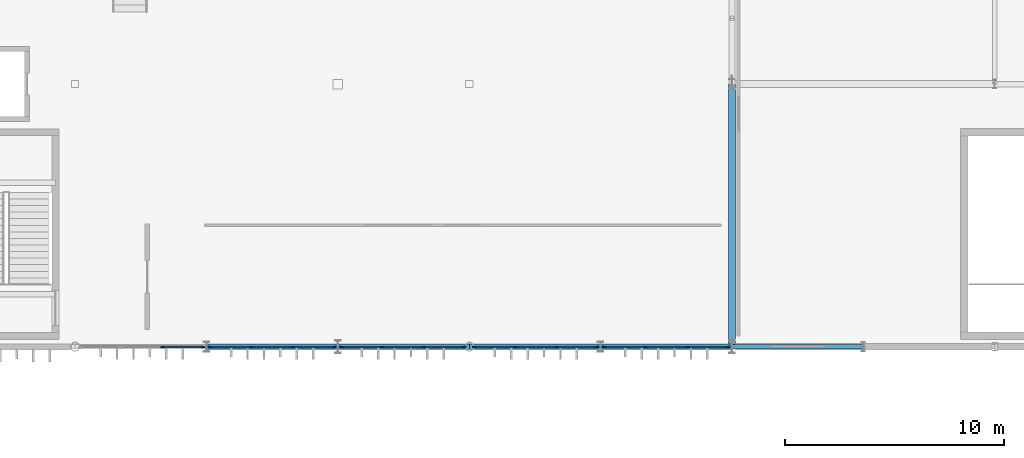
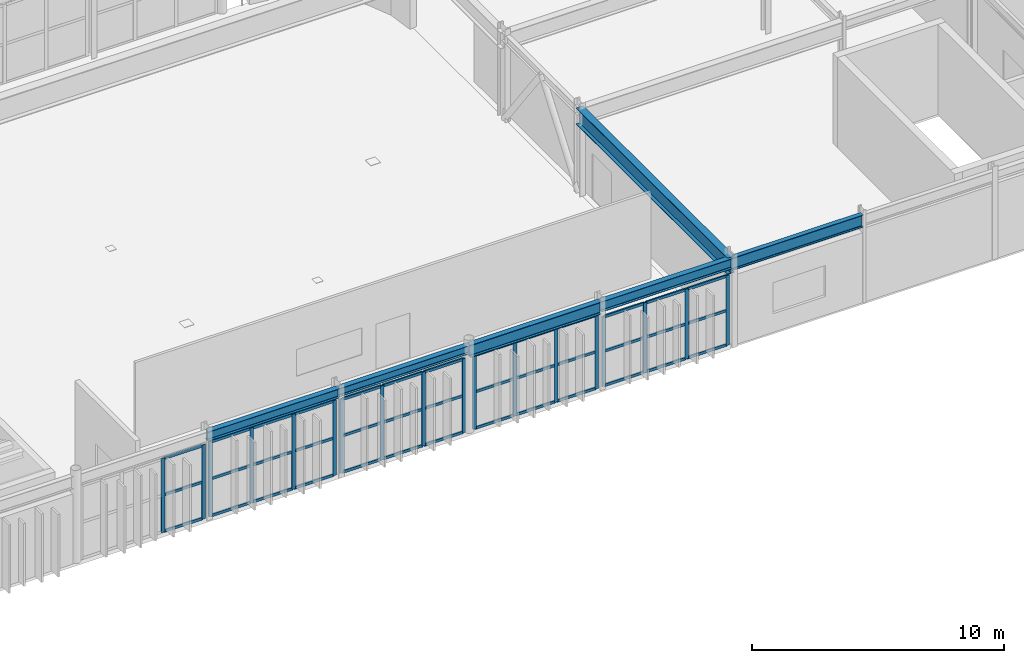
# One storey, part 38 of 84: 57 members, 6 beams, 5 elements without a shape of their own.
"""IFC4 building model written with IfcOpenShell, lengths in metres."""

from ifc_helpers import new_model, si_unit, direction, frame, origin, origin_2d, place, context, subcontext, project, spatial, rectangle, i_section, extrude, material, material_profile, profile_set, type_object, element, aggregate, save


model = new_model("IFC4")

# Units and contexts
model_context = context("Model", 3, precision=1e-05, world=origin(), true_north=direction((0.0, 1.0)))
body_context = subcontext(model_context, "Body", "Model", "MODEL_VIEW")
ifc_project = project(units=[si_unit("LENGTHUNIT", "METRE"), si_unit("AREAUNIT", "SQUARE_METRE"), si_unit("VOLUMEUNIT", "CUBIC_METRE"), si_unit("PLANEANGLEUNIT", "RADIAN"), si_unit("MASSUNIT", "GRAM", prefix="KILO")], contexts=[model_context])

# Site, building, storey
site_placement = place(None, origin())
site = spatial("IfcSite", under=ifc_project, at=site_placement, CompositionType="ELEMENT")
building_placement = place(site_placement, origin())
building = spatial("IfcBuilding", under=site, at=building_placement, Name="Varnakota Square Police Headquarters", CompositionType="ELEMENT")
storey_placement = place(building_placement, frame((0.0, 0.0, 13.5)))
storey = spatial("IfcBuildingStorey", under=building, at=storey_placement, Name="L03", CompositionType="ELEMENT", Elevation=13.5)

# Beams
ifc_material_1 = material(Name="Steel IS 2062 Grade 350", Category="steel")
ifc_material_profile_1 = material_profile(ifc_material_1, i_section(OverallWidth=0.320068359375, OverallDepth=0.800048828125, WebThickness=0.01611328125, FlangeThickness=0.028076171875, at=origin_2d()), Name="BPG 800x320")
ifc_profile_set_1 = profile_set([ifc_material_profile_1], Name="Steel IS 2062 Grade 350")
beam_type_1 = type_object("IfcBeamType", Name="BM-BPG800", PredefinedType="BEAM", material=ifc_profile_set_1)
beam_1_placement = place(storey_placement, frame((96.0, 69.0, 3.800048828125), z_axis=(0.0, 1.0, 0.0), x_axis=(-1.0, 0.0, 0.0)))
element("IfcBeam", 1, at=beam_1_placement, inside=storey, type_object=beam_type_1, Name="BMG-L03-2673", PredefinedType="BEAM", context=body_context, shape_type="SweptSolid", body=[
    extrude(i_section(OverallWidth=0.320068359375, OverallDepth=0.800048828125, WebThickness=0.01611328125, FlangeThickness=0.028076171875, at=origin_2d()), origin(), (0.0, 0.0, 1.0), 12.0),
])
ifc_material_profile_2 = material_profile(ifc_material_1, i_section(OverallWidth=0.25, OverallDepth=0.39990234375, WebThickness=0.010498046875, FlangeThickness=0.0126953125, FilletRadius=0.013916015625, at=origin_2d()), Name="ISHB 400")
ifc_profile_set_2 = profile_set([ifc_material_profile_2], Name="Steel IS 2062 Grade 350")
beam_type_2 = type_object("IfcBeamType", Name="BM-ISHB400", PredefinedType="BEAM", material=ifc_profile_set_2)
beam_2_placement = place(storey_placement, frame((78.0, 69.0, 4.0), z_axis=(1.0, 0.0, 0.0), x_axis=(0.0, 1.0, 0.0)))
element("IfcBeam", 2, at=beam_2_placement, inside=storey, type_object=beam_type_2, Name="BMG-L03-2519", PredefinedType="BEAM", context=body_context, shape_type="SweptSolid", body=[
    extrude(i_section(OverallWidth=0.25, OverallDepth=0.39990234375, WebThickness=0.010498046875, FlangeThickness=0.0126953125, FilletRadius=0.013916015625, at=origin_2d()), origin(), (0.0, 0.0, 1.0), 6.0),
])
ifc_material_profile_3 = material_profile(ifc_material_1, i_section(OverallWidth=0.25, OverallDepth=0.449951171875, WebThickness=0.01123046875, FlangeThickness=0.013671875, FilletRadius=0.014892578125, at=origin_2d()), Name="ISHB 450")
ifc_profile_set_3 = profile_set([ifc_material_profile_3], Name="Steel IS 2062 Grade 350")
beam_type_3 = type_object("IfcBeamType", Name="BM-ISHB450", PredefinedType="BEAM", material=ifc_profile_set_3)
beam_3_placement = place(storey_placement, frame((72.0, 69.0, 3.97509765625), z_axis=(1.0, 0.0, 0.0), x_axis=(0.0, 1.0, 0.0)))
element("IfcBeam", 3, at=beam_3_placement, inside=storey, type_object=beam_type_3, Name="BMG-L03-2518", PredefinedType="BEAM", context=body_context, shape_type="SweptSolid", body=[
    extrude(i_section(OverallWidth=0.25, OverallDepth=0.449951171875, WebThickness=0.01123046875, FlangeThickness=0.013671875, FilletRadius=0.014892578125, at=origin_2d()), origin(), (0.0, 0.0, 1.0), 6.0),
])
ifc_material_profile_4 = material_profile(ifc_material_1, i_section(OverallWidth=0.2099609375, OverallDepth=0.60009765625, WebThickness=0.011962890625, FlangeThickness=0.020751953125, FilletRadius=0.02001953125, at=origin_2d()), Name="ISMB 600")
ifc_profile_set_4 = profile_set([ifc_material_profile_4], Name="Steel IS 2062 Grade 350")
beam_type_4 = type_object("IfcBeamType", Name="BM-ISMB600", PredefinedType="BEAM", material=ifc_profile_set_4)
beam_4_placement = place(storey_placement, frame((96.0, 69.0, 3.89990234375), z_axis=(1.0, 0.0, 0.0), x_axis=(0.0, 1.0, 0.0)))
element("IfcBeam", 4, at=beam_4_placement, inside=storey, type_object=beam_type_4, Name="BMG-L03-2522", PredefinedType="BEAM", context=body_context, shape_type="SweptSolid", body=[
    extrude(i_section(OverallWidth=0.2099609375, OverallDepth=0.60009765625, WebThickness=0.011962890625, FlangeThickness=0.020751953125, FilletRadius=0.02001953125, at=origin_2d()), origin(), (0.0, 0.0, 1.0), 6.0),
])
ifc_material_profile_5 = material_profile(ifc_material_1, i_section(OverallWidth=0.25, OverallDepth=0.5, WebThickness=0.010009765625, FlangeThickness=0.0146484375, FilletRadius=0.014892578125, at=origin_2d()), Name="ISWB 500")
ifc_profile_set_5 = profile_set([ifc_material_profile_5], Name="Steel IS 2062 Grade 350")
beam_type_5 = type_object("IfcBeamType", Name="BM-ISWB500", PredefinedType="BEAM", material=ifc_profile_set_5)
beam_5_placement = place(storey_placement, frame((90.0, 69.0, 3.949951171875), z_axis=(1.0, 0.0, 0.0), x_axis=(0.0, 1.0, 0.0)))
element("IfcBeam", 5, at=beam_5_placement, inside=storey, type_object=beam_type_5, Name="BMG-L03-2521", PredefinedType="BEAM", context=body_context, shape_type="SweptSolid", body=[
    extrude(i_section(OverallWidth=0.25, OverallDepth=0.5, WebThickness=0.010009765625, FlangeThickness=0.0146484375, FilletRadius=0.014892578125, at=origin_2d()), origin(), (0.0, 0.0, 1.0), 6.0),
])
ifc_material_profile_6 = material_profile(ifc_material_1, i_section(OverallWidth=0.25, OverallDepth=0.60009765625, WebThickness=0.01171875, FlangeThickness=0.023681640625, FilletRadius=0.01708984375, at=origin_2d()), Name="ISWB 600")
ifc_profile_set_6 = profile_set([ifc_material_profile_6], Name="Steel IS 2062 Grade 350")
beam_type_6 = type_object("IfcBeamType", Name="BM-ISWB600", PredefinedType="BEAM", material=ifc_profile_set_6)
beam_6_placement = place(storey_placement, frame((84.0, 69.0, 3.89990234375), z_axis=(1.0, 0.0, 0.0), x_axis=(0.0, 1.0, 0.0)))
element("IfcBeam", 6, at=beam_6_placement, inside=storey, type_object=beam_type_6, Name="BMG-L03-2520", PredefinedType="BEAM", context=body_context, shape_type="SweptSolid", body=[
    extrude(i_section(OverallWidth=0.25, OverallDepth=0.60009765625, WebThickness=0.01171875, FlangeThickness=0.023681640625, FilletRadius=0.01708984375, at=origin_2d()), origin(), (0.0, 0.0, 1.0), 6.0),
])

# Curtain wall, members
ifc_material_2 = material(Name="Anodised Aluminium Framing", Category="aluminium")
curtain_wall_type = type_object("IfcCurtainWallType", Name="CW-SYS-B", PredefinedType="NOTDEFINED", material=ifc_material_2)
curtain_wall_1_placement = place(storey_placement, origin())
curtain_wall_1 = element("IfcCurtainWall", 7, at=curtain_wall_1_placement, inside=storey, type_object=curtain_wall_type, Name="Unitised curtain wall CWG-L03-245", PredefinedType="NOTDEFINED")
ifc_material_3 = material(Name="Anodised Aluminium 6063-T6", Category="aluminium")
ifc_material_profile_7 = material_profile(ifc_material_3, rectangle(XDim=0.06494140625, YDim=0.159912109375, at=origin_2d()), Name="ALU MULLION 65x160")
ifc_profile_set_7 = profile_set([ifc_material_profile_7], Name="Anodised Aluminium 6063-T6")
member_type_1 = type_object("IfcMemberType", Name="CWM-150", PredefinedType="MULLION", material=ifc_profile_set_7)
member_1_placement = place(storey_placement, frame((69.982666015625, 69.0, 0.0), z_axis=(0.0, 0.0, 1.0), x_axis=(0.0, 1.0, 0.0)))
member_1 = element("IfcMember", 8, at=member_1_placement, type_object=member_type_1, Name="CWG-L03-245 mullion 3", PredefinedType="MULLION", context=body_context, shape_type="SweptSolid", body=[
    extrude(rectangle(XDim=0.06494140625, YDim=0.159912109375, at=origin_2d()), origin(), (0.0, 0.0, 1.0), 3.590087890625),
])
member_2_placement = place(storey_placement, frame((71.83740234375, 69.0, 0.0), z_axis=(0.0, 0.0, 1.0), x_axis=(0.0, 1.0, 0.0)))
member_2 = element("IfcMember", 9, at=member_2_placement, type_object=member_type_1, Name="CWG-L03-245 mullion 4", PredefinedType="MULLION", context=body_context, shape_type="SweptSolid", body=[
    extrude(rectangle(XDim=0.06494140625, YDim=0.159912109375, at=origin_2d()), origin(), (0.0, 0.0, 1.0), 3.590087890625),
])

curtain_wall_2_placement = place(storey_placement, origin())
curtain_wall_2 = element("IfcCurtainWall", 10, at=curtain_wall_2_placement, inside=storey, type_object=curtain_wall_type, Name="Unitised curtain wall CWG-L03-246", PredefinedType="NOTDEFINED")
member_3_placement = place(storey_placement, frame((72.16259765625, 69.0, 0.0), z_axis=(0.0, 0.0, 1.0), x_axis=(0.0, 1.0, 0.0)))
member_3 = element("IfcMember", 11, at=member_3_placement, type_object=member_type_1, Name="CWG-L03-246 mullion 1", PredefinedType="MULLION", context=body_context, shape_type="SweptSolid", body=[
    extrude(rectangle(XDim=0.06494140625, YDim=0.159912109375, at=origin_2d()), origin(), (0.0, 0.0, 1.0), 3.639892578125),
])
member_4_placement = place(storey_placement, frame((74.043212890625, 69.0, 0.0), z_axis=(0.0, 0.0, 1.0), x_axis=(0.0, 1.0, 0.0)))
member_4 = element("IfcMember", 12, at=member_4_placement, type_object=member_type_1, Name="CWG-L03-246 mullion 2", PredefinedType="MULLION", context=body_context, shape_type="SweptSolid", body=[
    extrude(rectangle(XDim=0.06494140625, YDim=0.159912109375, at=origin_2d()), origin(), (0.0, 0.0, 1.0), 3.639892578125),
])
member_5_placement = place(storey_placement, frame((75.956787109375, 69.0, 0.0), z_axis=(0.0, 0.0, 1.0), x_axis=(0.0, 1.0, 0.0)))
member_5 = element("IfcMember", 13, at=member_5_placement, type_object=member_type_1, Name="CWG-L03-246 mullion 3", PredefinedType="MULLION", context=body_context, shape_type="SweptSolid", body=[
    extrude(rectangle(XDim=0.06494140625, YDim=0.159912109375, at=origin_2d()), origin(), (0.0, 0.0, 1.0), 3.639892578125),
])
member_6_placement = place(storey_placement, frame((77.83740234375, 69.0, 0.0), z_axis=(0.0, 0.0, 1.0), x_axis=(0.0, 1.0, 0.0)))
member_6 = element("IfcMember", 14, at=member_6_placement, type_object=member_type_1, Name="CWG-L03-246 mullion 4", PredefinedType="MULLION", context=body_context, shape_type="SweptSolid", body=[
    extrude(rectangle(XDim=0.06494140625, YDim=0.159912109375, at=origin_2d()), origin(), (0.0, 0.0, 1.0), 3.639892578125),
])

curtain_wall_3_placement = place(storey_placement, origin())
curtain_wall_3 = element("IfcCurtainWall", 15, at=curtain_wall_3_placement, inside=storey, type_object=curtain_wall_type, Name="Unitised curtain wall CWG-L03-247", PredefinedType="NOTDEFINED")
member_7_placement = place(storey_placement, frame((78.16259765625, 69.0, 0.0), z_axis=(0.0, 0.0, 1.0), x_axis=(0.0, 1.0, 0.0)))
member_7 = element("IfcMember", 16, at=member_7_placement, type_object=member_type_1, Name="CWG-L03-247 mullion 1", PredefinedType="MULLION", context=body_context, shape_type="SweptSolid", body=[
    extrude(rectangle(XDim=0.06494140625, YDim=0.159912109375, at=origin_2d()), origin(), (0.0, 0.0, 1.0), 3.590087890625),
])
member_8_placement = place(storey_placement, frame((80.017333984375, 69.0, 0.0), z_axis=(0.0, 0.0, 1.0), x_axis=(0.0, 1.0, 0.0)))
member_8 = element("IfcMember", 17, at=member_8_placement, type_object=member_type_1, Name="CWG-L03-247 mullion 2", PredefinedType="MULLION", context=body_context, shape_type="SweptSolid", body=[
    extrude(rectangle(XDim=0.06494140625, YDim=0.159912109375, at=origin_2d()), origin(), (0.0, 0.0, 1.0), 3.590087890625),
])
member_9_placement = place(storey_placement, frame((81.904541015625, 69.0, 0.0), z_axis=(0.0, 0.0, 1.0), x_axis=(0.0, 1.0, 0.0)))
member_9 = element("IfcMember", 18, at=member_9_placement, type_object=member_type_1, Name="CWG-L03-247 mullion 3", PredefinedType="MULLION", context=body_context, shape_type="SweptSolid", body=[
    extrude(rectangle(XDim=0.06494140625, YDim=0.159912109375, at=origin_2d()), origin(), (0.0, 0.0, 1.0), 3.590087890625),
])
member_10_placement = place(storey_placement, frame((83.75927734375, 69.0, 0.0), z_axis=(0.0, 0.0, 1.0), x_axis=(0.0, 1.0, 0.0)))
member_10 = element("IfcMember", 19, at=member_10_placement, type_object=member_type_1, Name="CWG-L03-247 mullion 4", PredefinedType="MULLION", context=body_context, shape_type="SweptSolid", body=[
    extrude(rectangle(XDim=0.06494140625, YDim=0.159912109375, at=origin_2d()), origin(), (0.0, 0.0, 1.0), 3.590087890625),
])

curtain_wall_4_placement = place(storey_placement, origin())
curtain_wall_4 = element("IfcCurtainWall", 20, at=curtain_wall_4_placement, inside=storey, type_object=curtain_wall_type, Name="Unitised curtain wall CWG-L03-248", PredefinedType="NOTDEFINED")
member_11_placement = place(storey_placement, frame((84.24072265625, 69.0, 0.0), z_axis=(0.0, 0.0, 1.0), x_axis=(0.0, 1.0, 0.0)))
member_11 = element("IfcMember", 21, at=member_11_placement, type_object=member_type_1, Name="CWG-L03-248 mullion 1", PredefinedType="MULLION", context=body_context, shape_type="SweptSolid", body=[
    extrude(rectangle(XDim=0.06494140625, YDim=0.159912109375, at=origin_2d()), origin(), (0.0, 0.0, 1.0), 3.590087890625),
])
member_12_placement = place(storey_placement, frame((86.095458984375, 69.0, 0.0), z_axis=(0.0, 0.0, 1.0), x_axis=(0.0, 1.0, 0.0)))
member_12 = element("IfcMember", 22, at=member_12_placement, type_object=member_type_1, Name="CWG-L03-248 mullion 2", PredefinedType="MULLION", context=body_context, shape_type="SweptSolid", body=[
    extrude(rectangle(XDim=0.06494140625, YDim=0.159912109375, at=origin_2d()), origin(), (0.0, 0.0, 1.0), 3.590087890625),
])
member_13_placement = place(storey_placement, frame((87.982666015625, 69.0, 0.0), z_axis=(0.0, 0.0, 1.0), x_axis=(0.0, 1.0, 0.0)))
member_13 = element("IfcMember", 23, at=member_13_placement, type_object=member_type_1, Name="CWG-L03-248 mullion 3", PredefinedType="MULLION", context=body_context, shape_type="SweptSolid", body=[
    extrude(rectangle(XDim=0.06494140625, YDim=0.159912109375, at=origin_2d()), origin(), (0.0, 0.0, 1.0), 3.590087890625),
])
member_14_placement = place(storey_placement, frame((89.83740234375, 69.0, 0.0), z_axis=(0.0, 0.0, 1.0), x_axis=(0.0, 1.0, 0.0)))
member_14 = element("IfcMember", 24, at=member_14_placement, type_object=member_type_1, Name="CWG-L03-248 mullion 4", PredefinedType="MULLION", context=body_context, shape_type="SweptSolid", body=[
    extrude(rectangle(XDim=0.06494140625, YDim=0.159912109375, at=origin_2d()), origin(), (0.0, 0.0, 1.0), 3.590087890625),
])

curtain_wall_5_placement = place(storey_placement, origin())
curtain_wall_5 = element("IfcCurtainWall", 25, at=curtain_wall_5_placement, inside=storey, type_object=curtain_wall_type, Name="Unitised curtain wall CWG-L03-249", PredefinedType="NOTDEFINED")
member_15_placement = place(storey_placement, frame((90.16259765625, 69.0, 0.0), z_axis=(0.0, 0.0, 1.0), x_axis=(0.0, 1.0, 0.0)))
member_15 = element("IfcMember", 26, at=member_15_placement, type_object=member_type_1, Name="CWG-L03-249 mullion 1", PredefinedType="MULLION", context=body_context, shape_type="SweptSolid", body=[
    extrude(rectangle(XDim=0.06494140625, YDim=0.159912109375, at=origin_2d()), origin(), (0.0, 0.0, 1.0), 3.389892578125),
])
member_16_placement = place(storey_placement, frame((92.043212890625, 69.0, 0.0), z_axis=(0.0, 0.0, 1.0), x_axis=(0.0, 1.0, 0.0)))
member_16 = element("IfcMember", 27, at=member_16_placement, type_object=member_type_1, Name="CWG-L03-249 mullion 2", PredefinedType="MULLION", context=body_context, shape_type="SweptSolid", body=[
    extrude(rectangle(XDim=0.06494140625, YDim=0.159912109375, at=origin_2d()), origin(), (0.0, 0.0, 1.0), 3.389892578125),
])
member_17_placement = place(storey_placement, frame((93.956787109375, 69.0, 0.0), z_axis=(0.0, 0.0, 1.0), x_axis=(0.0, 1.0, 0.0)))
member_17 = element("IfcMember", 28, at=member_17_placement, type_object=member_type_1, Name="CWG-L03-249 mullion 3", PredefinedType="MULLION", context=body_context, shape_type="SweptSolid", body=[
    extrude(rectangle(XDim=0.06494140625, YDim=0.159912109375, at=origin_2d()), origin(), (0.0, 0.0, 1.0), 3.389892578125),
])
member_18_placement = place(storey_placement, frame((95.83740234375, 69.0, 0.0), z_axis=(0.0, 0.0, 1.0), x_axis=(0.0, 1.0, 0.0)))
member_18 = element("IfcMember", 29, at=member_18_placement, type_object=member_type_1, Name="CWG-L03-249 mullion 4", PredefinedType="MULLION", context=body_context, shape_type="SweptSolid", body=[
    extrude(rectangle(XDim=0.06494140625, YDim=0.159912109375, at=origin_2d()), origin(), (0.0, 0.0, 1.0), 3.389892578125),
])

# Member
ifc_material_profile_8 = material_profile(ifc_material_3, rectangle(XDim=0.06494140625, YDim=0.1298828125, at=origin_2d()), Name="ALU TRANSOM 65x130")
ifc_profile_set_8 = profile_set([ifc_material_profile_8], Name="Anodised Aluminium 6063-T6")
member_type_2 = type_object("IfcMemberType", Name="CWT-120", PredefinedType="USERDEFINED", material=ifc_profile_set_8)
member_19_placement = place(storey_placement, frame((70.01513671875, 69.0, 0.032470703125), z_axis=(1.0, 0.0, 0.0), x_axis=(0.0, 1.0, 0.0)))
member_19 = element("IfcMember", 30, at=member_19_placement, type_object=member_type_2, Name="CWG-L03-245 transom 3.1", ObjectType="TRANSOM", PredefinedType="USERDEFINED", context=body_context, shape_type="SweptSolid", body=[
    extrude(rectangle(XDim=0.06494140625, YDim=0.1298828125, at=origin_2d()), origin(), (0.0, 0.0, 1.0), 1.789794921875),
])

member_20_placement = place(storey_placement, frame((70.01513671875, 69.0, 1.794921875), z_axis=(1.0, 0.0, 0.0), x_axis=(0.0, 1.0, 0.0)))
member_20 = element("IfcMember", 31, at=member_20_placement, type_object=member_type_2, Name="CWG-L03-245 transom 3.2", ObjectType="TRANSOM", PredefinedType="USERDEFINED", context=body_context, shape_type="SweptSolid", body=[
    extrude(rectangle(XDim=0.06494140625, YDim=0.1298828125, at=origin_2d()), origin(), (0.0, 0.0, 1.0), 1.789794921875),
])

member_21_placement = place(storey_placement, frame((70.01513671875, 69.0, 3.5576171875), z_axis=(1.0, 0.0, 0.0), x_axis=(0.0, 1.0, 0.0)))
member_21 = element("IfcMember", 32, at=member_21_placement, type_object=member_type_2, Name="CWG-L03-245 transom 3.3", ObjectType="TRANSOM", PredefinedType="USERDEFINED", context=body_context, shape_type="SweptSolid", body=[
    extrude(rectangle(XDim=0.06494140625, YDim=0.1298828125, at=origin_2d()), origin(), (0.0, 0.0, 1.0), 1.789794921875),
])

aggregate(curtain_wall_1, [member_1, member_2, member_19, member_20, member_21])

member_22_placement = place(storey_placement, frame((72.195068359375, 69.0, 0.032470703125), z_axis=(1.0, 0.0, 0.0), x_axis=(0.0, 1.0, 0.0)))
member_22 = element("IfcMember", 33, at=member_22_placement, type_object=member_type_2, Name="CWG-L03-246 transom 1.1", ObjectType="TRANSOM", PredefinedType="USERDEFINED", context=body_context, shape_type="SweptSolid", body=[
    extrude(rectangle(XDim=0.06494140625, YDim=0.1298828125, at=origin_2d()), origin(), (0.0, 0.0, 1.0), 1.815673828125),
])

member_23_placement = place(storey_placement, frame((72.195068359375, 69.0, 1.820068359375), z_axis=(1.0, 0.0, 0.0), x_axis=(0.0, 1.0, 0.0)))
member_23 = element("IfcMember", 34, at=member_23_placement, type_object=member_type_2, Name="CWG-L03-246 transom 1.2", ObjectType="TRANSOM", PredefinedType="USERDEFINED", context=body_context, shape_type="SweptSolid", body=[
    extrude(rectangle(XDim=0.06494140625, YDim=0.1298828125, at=origin_2d()), origin(), (0.0, 0.0, 1.0), 1.815673828125),
])

member_24_placement = place(storey_placement, frame((72.195068359375, 69.0, 3.607421875), z_axis=(1.0, 0.0, 0.0), x_axis=(0.0, 1.0, 0.0)))
member_24 = element("IfcMember", 35, at=member_24_placement, type_object=member_type_2, Name="CWG-L03-246 transom 1.3", ObjectType="TRANSOM", PredefinedType="USERDEFINED", context=body_context, shape_type="SweptSolid", body=[
    extrude(rectangle(XDim=0.06494140625, YDim=0.1298828125, at=origin_2d()), origin(), (0.0, 0.0, 1.0), 1.815673828125),
])

member_25_placement = place(storey_placement, frame((74.075927734375, 69.0, 0.032470703125), z_axis=(1.0, 0.0, 0.0), x_axis=(0.0, 1.0, 0.0)))
member_25 = element("IfcMember", 36, at=member_25_placement, type_object=member_type_2, Name="CWG-L03-246 transom 2.1", ObjectType="TRANSOM", PredefinedType="USERDEFINED", context=body_context, shape_type="SweptSolid", body=[
    extrude(rectangle(XDim=0.06494140625, YDim=0.1298828125, at=origin_2d()), origin(), (0.0, 0.0, 1.0), 1.84814453125),
])

member_26_placement = place(storey_placement, frame((74.075927734375, 69.0, 1.820068359375), z_axis=(1.0, 0.0, 0.0), x_axis=(0.0, 1.0, 0.0)))
member_26 = element("IfcMember", 37, at=member_26_placement, type_object=member_type_2, Name="CWG-L03-246 transom 2.2", ObjectType="TRANSOM", PredefinedType="USERDEFINED", context=body_context, shape_type="SweptSolid", body=[
    extrude(rectangle(XDim=0.06494140625, YDim=0.1298828125, at=origin_2d()), origin(), (0.0, 0.0, 1.0), 1.84814453125),
])

member_27_placement = place(storey_placement, frame((74.075927734375, 69.0, 3.607421875), z_axis=(1.0, 0.0, 0.0), x_axis=(0.0, 1.0, 0.0)))
member_27 = element("IfcMember", 38, at=member_27_placement, type_object=member_type_2, Name="CWG-L03-246 transom 2.3", ObjectType="TRANSOM", PredefinedType="USERDEFINED", context=body_context, shape_type="SweptSolid", body=[
    extrude(rectangle(XDim=0.06494140625, YDim=0.1298828125, at=origin_2d()), origin(), (0.0, 0.0, 1.0), 1.84814453125),
])

member_28_placement = place(storey_placement, frame((75.9892578125, 69.0, 0.032470703125), z_axis=(1.0, 0.0, 0.0), x_axis=(0.0, 1.0, 0.0)))
member_28 = element("IfcMember", 39, at=member_28_placement, type_object=member_type_2, Name="CWG-L03-246 transom 3.1", ObjectType="TRANSOM", PredefinedType="USERDEFINED", context=body_context, shape_type="SweptSolid", body=[
    extrude(rectangle(XDim=0.06494140625, YDim=0.1298828125, at=origin_2d()), origin(), (0.0, 0.0, 1.0), 1.815673828125),
])

member_29_placement = place(storey_placement, frame((75.9892578125, 69.0, 1.820068359375), z_axis=(1.0, 0.0, 0.0), x_axis=(0.0, 1.0, 0.0)))
member_29 = element("IfcMember", 40, at=member_29_placement, type_object=member_type_2, Name="CWG-L03-246 transom 3.2", ObjectType="TRANSOM", PredefinedType="USERDEFINED", context=body_context, shape_type="SweptSolid", body=[
    extrude(rectangle(XDim=0.06494140625, YDim=0.1298828125, at=origin_2d()), origin(), (0.0, 0.0, 1.0), 1.815673828125),
])

member_30_placement = place(storey_placement, frame((75.9892578125, 69.0, 3.607421875), z_axis=(1.0, 0.0, 0.0), x_axis=(0.0, 1.0, 0.0)))
member_30 = element("IfcMember", 41, at=member_30_placement, type_object=member_type_2, Name="CWG-L03-246 transom 3.3", ObjectType="TRANSOM", PredefinedType="USERDEFINED", context=body_context, shape_type="SweptSolid", body=[
    extrude(rectangle(XDim=0.06494140625, YDim=0.1298828125, at=origin_2d()), origin(), (0.0, 0.0, 1.0), 1.815673828125),
])

aggregate(curtain_wall_2, [member_3, member_4, member_5, member_6, member_22, member_23, member_24, member_25, member_26, member_27, member_28, member_29, member_30])

member_31_placement = place(storey_placement, frame((78.195068359375, 69.0, 0.032470703125), z_axis=(1.0, 0.0, 0.0), x_axis=(0.0, 1.0, 0.0)))
member_31 = element("IfcMember", 42, at=member_31_placement, type_object=member_type_2, Name="CWG-L03-247 transom 1.1", ObjectType="TRANSOM", PredefinedType="USERDEFINED", context=body_context, shape_type="SweptSolid", body=[
    extrude(rectangle(XDim=0.06494140625, YDim=0.1298828125, at=origin_2d()), origin(), (0.0, 0.0, 1.0), 1.789794921875),
])

member_32_placement = place(storey_placement, frame((78.195068359375, 69.0, 1.794921875), z_axis=(1.0, 0.0, 0.0), x_axis=(0.0, 1.0, 0.0)))
member_32 = element("IfcMember", 43, at=member_32_placement, type_object=member_type_2, Name="CWG-L03-247 transom 1.2", ObjectType="TRANSOM", PredefinedType="USERDEFINED", context=body_context, shape_type="SweptSolid", body=[
    extrude(rectangle(XDim=0.06494140625, YDim=0.1298828125, at=origin_2d()), origin(), (0.0, 0.0, 1.0), 1.789794921875),
])

member_33_placement = place(storey_placement, frame((78.195068359375, 69.0, 3.5576171875), z_axis=(1.0, 0.0, 0.0), x_axis=(0.0, 1.0, 0.0)))
member_33 = element("IfcMember", 44, at=member_33_placement, type_object=member_type_2, Name="CWG-L03-247 transom 1.3", ObjectType="TRANSOM", PredefinedType="USERDEFINED", context=body_context, shape_type="SweptSolid", body=[
    extrude(rectangle(XDim=0.06494140625, YDim=0.1298828125, at=origin_2d()), origin(), (0.0, 0.0, 1.0), 1.789794921875),
])

member_34_placement = place(storey_placement, frame((80.0498046875, 69.0, 0.032470703125), z_axis=(1.0, 0.0, 0.0), x_axis=(0.0, 1.0, 0.0)))
member_34 = element("IfcMember", 45, at=member_34_placement, type_object=member_type_2, Name="CWG-L03-247 transom 2.1", ObjectType="TRANSOM", PredefinedType="USERDEFINED", context=body_context, shape_type="SweptSolid", body=[
    extrude(rectangle(XDim=0.06494140625, YDim=0.1298828125, at=origin_2d()), origin(), (0.0, 0.0, 1.0), 1.822265625),
])

member_35_placement = place(storey_placement, frame((80.0498046875, 69.0, 1.794921875), z_axis=(1.0, 0.0, 0.0), x_axis=(0.0, 1.0, 0.0)))
member_35 = element("IfcMember", 46, at=member_35_placement, type_object=member_type_2, Name="CWG-L03-247 transom 2.2", ObjectType="TRANSOM", PredefinedType="USERDEFINED", context=body_context, shape_type="SweptSolid", body=[
    extrude(rectangle(XDim=0.06494140625, YDim=0.1298828125, at=origin_2d()), origin(), (0.0, 0.0, 1.0), 1.822265625),
])

member_36_placement = place(storey_placement, frame((80.0498046875, 69.0, 3.5576171875), z_axis=(1.0, 0.0, 0.0), x_axis=(0.0, 1.0, 0.0)))
member_36 = element("IfcMember", 47, at=member_36_placement, type_object=member_type_2, Name="CWG-L03-247 transom 2.3", ObjectType="TRANSOM", PredefinedType="USERDEFINED", context=body_context, shape_type="SweptSolid", body=[
    extrude(rectangle(XDim=0.06494140625, YDim=0.1298828125, at=origin_2d()), origin(), (0.0, 0.0, 1.0), 1.822265625),
])

member_37_placement = place(storey_placement, frame((81.93701171875, 69.0, 0.032470703125), z_axis=(1.0, 0.0, 0.0), x_axis=(0.0, 1.0, 0.0)))
member_37 = element("IfcMember", 48, at=member_37_placement, type_object=member_type_2, Name="CWG-L03-247 transom 3.1", ObjectType="TRANSOM", PredefinedType="USERDEFINED", context=body_context, shape_type="SweptSolid", body=[
    extrude(rectangle(XDim=0.06494140625, YDim=0.1298828125, at=origin_2d()), origin(), (0.0, 0.0, 1.0), 1.789794921875),
])

member_38_placement = place(storey_placement, frame((81.93701171875, 69.0, 1.794921875), z_axis=(1.0, 0.0, 0.0), x_axis=(0.0, 1.0, 0.0)))
member_38 = element("IfcMember", 49, at=member_38_placement, type_object=member_type_2, Name="CWG-L03-247 transom 3.2", ObjectType="TRANSOM", PredefinedType="USERDEFINED", context=body_context, shape_type="SweptSolid", body=[
    extrude(rectangle(XDim=0.06494140625, YDim=0.1298828125, at=origin_2d()), origin(), (0.0, 0.0, 1.0), 1.789794921875),
])

member_39_placement = place(storey_placement, frame((81.93701171875, 69.0, 3.5576171875), z_axis=(1.0, 0.0, 0.0), x_axis=(0.0, 1.0, 0.0)))
member_39 = element("IfcMember", 50, at=member_39_placement, type_object=member_type_2, Name="CWG-L03-247 transom 3.3", ObjectType="TRANSOM", PredefinedType="USERDEFINED", context=body_context, shape_type="SweptSolid", body=[
    extrude(rectangle(XDim=0.06494140625, YDim=0.1298828125, at=origin_2d()), origin(), (0.0, 0.0, 1.0), 1.789794921875),
])

aggregate(curtain_wall_3, [member_7, member_8, member_9, member_10, member_31, member_32, member_33, member_34, member_35, member_36, member_37, member_38, member_39])

member_40_placement = place(storey_placement, frame((84.273193359375, 69.0, 0.032470703125), z_axis=(1.0, 0.0, 0.0), x_axis=(0.0, 1.0, 0.0)))
member_40 = element("IfcMember", 51, at=member_40_placement, type_object=member_type_2, Name="CWG-L03-248 transom 1.1", ObjectType="TRANSOM", PredefinedType="USERDEFINED", context=body_context, shape_type="SweptSolid", body=[
    extrude(rectangle(XDim=0.06494140625, YDim=0.1298828125, at=origin_2d()), origin(), (0.0, 0.0, 1.0), 1.789794921875),
])

member_41_placement = place(storey_placement, frame((84.273193359375, 69.0, 1.794921875), z_axis=(1.0, 0.0, 0.0), x_axis=(0.0, 1.0, 0.0)))
member_41 = element("IfcMember", 52, at=member_41_placement, type_object=member_type_2, Name="CWG-L03-248 transom 1.2", ObjectType="TRANSOM", PredefinedType="USERDEFINED", context=body_context, shape_type="SweptSolid", body=[
    extrude(rectangle(XDim=0.06494140625, YDim=0.1298828125, at=origin_2d()), origin(), (0.0, 0.0, 1.0), 1.789794921875),
])

member_42_placement = place(storey_placement, frame((84.273193359375, 69.0, 3.5576171875), z_axis=(1.0, 0.0, 0.0), x_axis=(0.0, 1.0, 0.0)))
member_42 = element("IfcMember", 53, at=member_42_placement, type_object=member_type_2, Name="CWG-L03-248 transom 1.3", ObjectType="TRANSOM", PredefinedType="USERDEFINED", context=body_context, shape_type="SweptSolid", body=[
    extrude(rectangle(XDim=0.06494140625, YDim=0.1298828125, at=origin_2d()), origin(), (0.0, 0.0, 1.0), 1.789794921875),
])

member_43_placement = place(storey_placement, frame((86.1279296875, 69.0, 0.032470703125), z_axis=(1.0, 0.0, 0.0), x_axis=(0.0, 1.0, 0.0)))
member_43 = element("IfcMember", 54, at=member_43_placement, type_object=member_type_2, Name="CWG-L03-248 transom 2.1", ObjectType="TRANSOM", PredefinedType="USERDEFINED", context=body_context, shape_type="SweptSolid", body=[
    extrude(rectangle(XDim=0.06494140625, YDim=0.1298828125, at=origin_2d()), origin(), (0.0, 0.0, 1.0), 1.822265625),
])

member_44_placement = place(storey_placement, frame((86.1279296875, 69.0, 1.794921875), z_axis=(1.0, 0.0, 0.0), x_axis=(0.0, 1.0, 0.0)))
member_44 = element("IfcMember", 55, at=member_44_placement, type_object=member_type_2, Name="CWG-L03-248 transom 2.2", ObjectType="TRANSOM", PredefinedType="USERDEFINED", context=body_context, shape_type="SweptSolid", body=[
    extrude(rectangle(XDim=0.06494140625, YDim=0.1298828125, at=origin_2d()), origin(), (0.0, 0.0, 1.0), 1.822265625),
])

member_45_placement = place(storey_placement, frame((86.1279296875, 69.0, 3.5576171875), z_axis=(1.0, 0.0, 0.0), x_axis=(0.0, 1.0, 0.0)))
member_45 = element("IfcMember", 56, at=member_45_placement, type_object=member_type_2, Name="CWG-L03-248 transom 2.3", ObjectType="TRANSOM", PredefinedType="USERDEFINED", context=body_context, shape_type="SweptSolid", body=[
    extrude(rectangle(XDim=0.06494140625, YDim=0.1298828125, at=origin_2d()), origin(), (0.0, 0.0, 1.0), 1.822265625),
])

member_46_placement = place(storey_placement, frame((88.01513671875, 69.0, 0.032470703125), z_axis=(1.0, 0.0, 0.0), x_axis=(0.0, 1.0, 0.0)))
member_46 = element("IfcMember", 57, at=member_46_placement, type_object=member_type_2, Name="CWG-L03-248 transom 3.1", ObjectType="TRANSOM", PredefinedType="USERDEFINED", context=body_context, shape_type="SweptSolid", body=[
    extrude(rectangle(XDim=0.06494140625, YDim=0.1298828125, at=origin_2d()), origin(), (0.0, 0.0, 1.0), 1.789794921875),
])

member_47_placement = place(storey_placement, frame((88.01513671875, 69.0, 1.794921875), z_axis=(1.0, 0.0, 0.0), x_axis=(0.0, 1.0, 0.0)))
member_47 = element("IfcMember", 58, at=member_47_placement, type_object=member_type_2, Name="CWG-L03-248 transom 3.2", ObjectType="TRANSOM", PredefinedType="USERDEFINED", context=body_context, shape_type="SweptSolid", body=[
    extrude(rectangle(XDim=0.06494140625, YDim=0.1298828125, at=origin_2d()), origin(), (0.0, 0.0, 1.0), 1.789794921875),
])

member_48_placement = place(storey_placement, frame((88.01513671875, 69.0, 3.5576171875), z_axis=(1.0, 0.0, 0.0), x_axis=(0.0, 1.0, 0.0)))
member_48 = element("IfcMember", 59, at=member_48_placement, type_object=member_type_2, Name="CWG-L03-248 transom 3.3", ObjectType="TRANSOM", PredefinedType="USERDEFINED", context=body_context, shape_type="SweptSolid", body=[
    extrude(rectangle(XDim=0.06494140625, YDim=0.1298828125, at=origin_2d()), origin(), (0.0, 0.0, 1.0), 1.789794921875),
])

aggregate(curtain_wall_4, [member_11, member_12, member_13, member_14, member_40, member_41, member_42, member_43, member_44, member_45, member_46, member_47, member_48])

member_49_placement = place(storey_placement, frame((90.195068359375, 69.0, 0.032470703125), z_axis=(1.0, 0.0, 0.0), x_axis=(0.0, 1.0, 0.0)))
member_49 = element("IfcMember", 60, at=member_49_placement, type_object=member_type_2, Name="CWG-L03-249 transom 1.1", ObjectType="TRANSOM", PredefinedType="USERDEFINED", context=body_context, shape_type="SweptSolid", body=[
    extrude(rectangle(XDim=0.06494140625, YDim=0.1298828125, at=origin_2d()), origin(), (0.0, 0.0, 1.0), 1.815673828125),
])

member_50_placement = place(storey_placement, frame((90.195068359375, 69.0, 1.695068359375), z_axis=(1.0, 0.0, 0.0), x_axis=(0.0, 1.0, 0.0)))
member_50 = element("IfcMember", 61, at=member_50_placement, type_object=member_type_2, Name="CWG-L03-249 transom 1.2", ObjectType="TRANSOM", PredefinedType="USERDEFINED", context=body_context, shape_type="SweptSolid", body=[
    extrude(rectangle(XDim=0.06494140625, YDim=0.1298828125, at=origin_2d()), origin(), (0.0, 0.0, 1.0), 1.815673828125),
])

member_51_placement = place(storey_placement, frame((90.195068359375, 69.0, 3.357421875), z_axis=(1.0, 0.0, 0.0), x_axis=(0.0, 1.0, 0.0)))
member_51 = element("IfcMember", 62, at=member_51_placement, type_object=member_type_2, Name="CWG-L03-249 transom 1.3", ObjectType="TRANSOM", PredefinedType="USERDEFINED", context=body_context, shape_type="SweptSolid", body=[
    extrude(rectangle(XDim=0.06494140625, YDim=0.1298828125, at=origin_2d()), origin(), (0.0, 0.0, 1.0), 1.815673828125),
])

member_52_placement = place(storey_placement, frame((92.075927734375, 69.0, 0.032470703125), z_axis=(1.0, 0.0, 0.0), x_axis=(0.0, 1.0, 0.0)))
member_52 = element("IfcMember", 63, at=member_52_placement, type_object=member_type_2, Name="CWG-L03-249 transom 2.1", ObjectType="TRANSOM", PredefinedType="USERDEFINED", context=body_context, shape_type="SweptSolid", body=[
    extrude(rectangle(XDim=0.06494140625, YDim=0.1298828125, at=origin_2d()), origin(), (0.0, 0.0, 1.0), 1.84814453125),
])

member_53_placement = place(storey_placement, frame((92.075927734375, 69.0, 1.695068359375), z_axis=(1.0, 0.0, 0.0), x_axis=(0.0, 1.0, 0.0)))
member_53 = element("IfcMember", 64, at=member_53_placement, type_object=member_type_2, Name="CWG-L03-249 transom 2.2", ObjectType="TRANSOM", PredefinedType="USERDEFINED", context=body_context, shape_type="SweptSolid", body=[
    extrude(rectangle(XDim=0.06494140625, YDim=0.1298828125, at=origin_2d()), origin(), (0.0, 0.0, 1.0), 1.84814453125),
])

member_54_placement = place(storey_placement, frame((92.075927734375, 69.0, 3.357421875), z_axis=(1.0, 0.0, 0.0), x_axis=(0.0, 1.0, 0.0)))
member_54 = element("IfcMember", 65, at=member_54_placement, type_object=member_type_2, Name="CWG-L03-249 transom 2.3", ObjectType="TRANSOM", PredefinedType="USERDEFINED", context=body_context, shape_type="SweptSolid", body=[
    extrude(rectangle(XDim=0.06494140625, YDim=0.1298828125, at=origin_2d()), origin(), (0.0, 0.0, 1.0), 1.84814453125),
])

member_55_placement = place(storey_placement, frame((93.9892578125, 69.0, 0.032470703125), z_axis=(1.0, 0.0, 0.0), x_axis=(0.0, 1.0, 0.0)))
member_55 = element("IfcMember", 66, at=member_55_placement, type_object=member_type_2, Name="CWG-L03-249 transom 3.1", ObjectType="TRANSOM", PredefinedType="USERDEFINED", context=body_context, shape_type="SweptSolid", body=[
    extrude(rectangle(XDim=0.06494140625, YDim=0.1298828125, at=origin_2d()), origin(), (0.0, 0.0, 1.0), 1.815673828125),
])

member_56_placement = place(storey_placement, frame((93.9892578125, 69.0, 1.695068359375), z_axis=(1.0, 0.0, 0.0), x_axis=(0.0, 1.0, 0.0)))
member_56 = element("IfcMember", 67, at=member_56_placement, type_object=member_type_2, Name="CWG-L03-249 transom 3.2", ObjectType="TRANSOM", PredefinedType="USERDEFINED", context=body_context, shape_type="SweptSolid", body=[
    extrude(rectangle(XDim=0.06494140625, YDim=0.1298828125, at=origin_2d()), origin(), (0.0, 0.0, 1.0), 1.815673828125),
])

member_57_placement = place(storey_placement, frame((93.9892578125, 69.0, 3.357421875), z_axis=(1.0, 0.0, 0.0), x_axis=(0.0, 1.0, 0.0)))
member_57 = element("IfcMember", 68, at=member_57_placement, type_object=member_type_2, Name="CWG-L03-249 transom 3.3", ObjectType="TRANSOM", PredefinedType="USERDEFINED", context=body_context, shape_type="SweptSolid", body=[
    extrude(rectangle(XDim=0.06494140625, YDim=0.1298828125, at=origin_2d()), origin(), (0.0, 0.0, 1.0), 1.815673828125),
])

aggregate(curtain_wall_5, [member_15, member_16, member_17, member_18, member_49, member_50, member_51, member_52, member_53, member_54, member_55, member_56, member_57])

save(model, "model.ifc")
